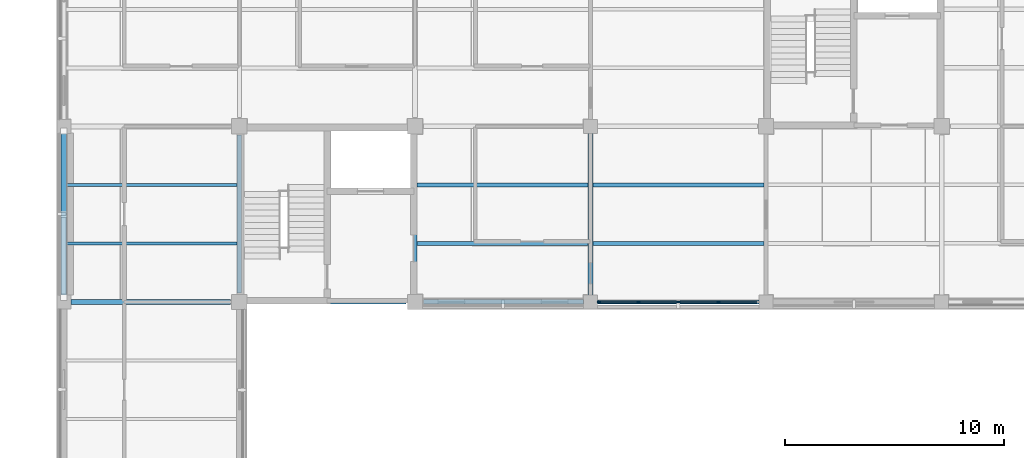
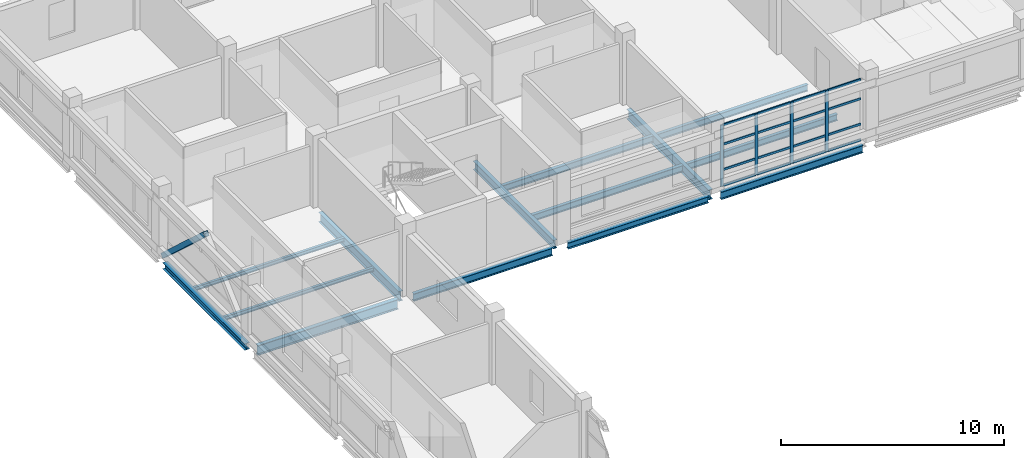
# One storey, part 28 of 107: 21 members, 14 beams, 1 element without a shape of its own.
"""IFC4 building model written with IfcOpenShell, lengths in metres."""

from ifc_helpers import new_model, si_unit, derived_unit, direction, frame, origin, origin_2d, place, context, subcontext, project, spatial, rectangle, hollow_rectangle, i_section, extrude, material, layer, layer_set, material_profile, profile_set, type_object, element, aggregate, save


model = new_model("IFC4")

# Units and contexts
model_context = context("Model", 3, precision=1e-05, world=origin(), true_north=direction((0.0, 1.0)))
body_context = subcontext(model_context, "Body", "Model", "MODEL_VIEW")
ifc_project = project(units=[si_unit("LENGTHUNIT", "METRE"), si_unit("AREAUNIT", "SQUARE_METRE"), si_unit("VOLUMEUNIT", "CUBIC_METRE"), si_unit("PLANEANGLEUNIT", "RADIAN"), si_unit("MASSUNIT", "GRAM", prefix="KILO"), derived_unit("THERMALTRANSMITTANCEUNIT", [(si_unit("MASSUNIT", "GRAM", prefix="KILO"), 1), (si_unit("TIMEUNIT", "SECOND"), -3), (si_unit("THERMODYNAMICTEMPERATUREUNIT", "KELVIN"), -1)])], contexts=[model_context])

# Site, building, storey
site_placement = place(None, origin())
site = spatial("IfcSite", under=ifc_project, at=site_placement, CompositionType="ELEMENT")
building_placement = place(site_placement, origin())
building = spatial("IfcBuilding", under=site, at=building_placement, Name="Veyamyaing Civic Hall", CompositionType="ELEMENT")
storey_placement = place(building_placement, frame((0.0, 0.0, 13.860107421875)))
storey = spatial("IfcBuildingStorey", under=building, at=storey_placement, Name="L03", CompositionType="ELEMENT", Elevation=13.860107421875)

# Beams
ifc_material_1 = material(Name="Steel ASTM A992", Category="steel")
ifc_material_profile_1 = material_profile(ifc_material_1, i_section(OverallWidth=0.208984375, OverallDepth=0.532958984375, WebThickness=0.01025390625, FlangeThickness=0.015625, FilletRadius=0.011962890625, at=origin_2d()), Name="W530X92")
ifc_profile_set_1 = profile_set([ifc_material_profile_1], Name="Steel ASTM A992")
beam_type_1 = type_object("IfcBeamType", Name="B-07", PredefinedType="BEAM", material=ifc_profile_set_1)
beam_1_placement = place(storey_placement, frame((8.0, 88.39990234375, -0.521728515625), z_axis=(0.0, 1.0, 0.0), x_axis=(-1.0, 0.0, 0.0)))
element("IfcBeam", 1, at=beam_1_placement, inside=storey, type_object=beam_type_1, Name="Girder B-07 L03 Grid 2 M-N", PredefinedType="BEAM", context=body_context, shape_type="SweptSolid", body=[
    extrude(i_section(OverallWidth=0.208984375, OverallDepth=0.532958984375, WebThickness=0.01025390625, FlangeThickness=0.015625, FilletRadius=0.011962890625, at=origin_2d()), origin(), (0.0, 0.0, 1.0), 7.2001953125),
])
ifc_material_profile_2 = material_profile(ifc_material_1, i_section(OverallWidth=0.19189453125, OverallDepth=0.462890625, WebThickness=0.010498046875, FlangeThickness=0.017578125, FilletRadius=0.010009765625, at=origin_2d()), Name="W460X89")
ifc_profile_set_2 = profile_set([ifc_material_profile_2], Name="Steel ASTM A992")
beam_type_2 = type_object("IfcBeamType", Name="B-08", PredefinedType="BEAM", material=ifc_profile_set_2)
beam_2_placement = place(storey_placement, frame((16.0, 88.39990234375, -0.486572265625), z_axis=(0.0, 1.0, 0.0), x_axis=(-1.0, 0.0, 0.0)))
element("IfcBeam", 2, at=beam_2_placement, inside=storey, type_object=beam_type_2, Name="Girder B-08 L03 Grid 3 M-N", PredefinedType="BEAM", context=body_context, shape_type="SweptSolid", body=[
    extrude(i_section(OverallWidth=0.19189453125, OverallDepth=0.462890625, WebThickness=0.010498046875, FlangeThickness=0.017578125, FilletRadius=0.010009765625, at=origin_2d()), origin(), (0.0, 0.0, 1.0), 7.2001953125),
])
ifc_material_profile_3 = material_profile(ifc_material_1, i_section(OverallWidth=0.179931640625, OverallDepth=0.4130859375, WebThickness=0.009765625, FlangeThickness=0.01611328125, FilletRadius=0.010009765625, at=origin_2d()), Name="W410X74")
ifc_profile_set_3 = profile_set([ifc_material_profile_3], Name="Steel ASTM A992")
beam_type_3 = type_object("IfcBeamType", Name="B-10", PredefinedType="SPANDREL", material=ifc_profile_set_3)
beam_3_placement = place(storey_placement, frame((8.39990234375, 88.0, -0.461669921875), z_axis=(1.0, 0.0, 0.0), x_axis=(0.0, 1.0, 0.0)))
element("IfcBeam", 3, at=beam_3_placement, inside=storey, type_object=beam_type_3, Name="Girder B-10 L03 Grid M 2-3", PredefinedType="SPANDREL", context=body_context, shape_type="SweptSolid", body=[
    extrude(i_section(OverallWidth=0.179931640625, OverallDepth=0.4130859375, WebThickness=0.009765625, FlangeThickness=0.01611328125, FilletRadius=0.010009765625, at=origin_2d()), origin(), (0.0, 0.0, 1.0), 7.2001953125),
])
ifc_material_profile_4 = material_profile(ifc_material_1, i_section(OverallWidth=0.2041015625, OverallDepth=0.35009765625, WebThickness=0.0078125, FlangeThickness=0.01513671875, FilletRadius=0.010009765625, at=origin_2d()), Name="W360X72")
ifc_profile_set_4 = profile_set([ifc_material_profile_4], Name="Steel ASTM A992")
beam_type_4 = type_object("IfcBeamType", Name="B-11", PredefinedType="SPANDREL", material=ifc_profile_set_4)
beam_4_placement = place(storey_placement, frame((16.39990234375, 88.0, -0.43017578125), z_axis=(1.0, 0.0, 0.0), x_axis=(0.0, 1.0, 0.0)))
element("IfcBeam", 4, at=beam_4_placement, inside=storey, type_object=beam_type_4, Name="Girder B-11 L03 Grid M 3-4", PredefinedType="SPANDREL", context=body_context, shape_type="SweptSolid", body=[
    extrude(i_section(OverallWidth=0.2041015625, OverallDepth=0.35009765625, WebThickness=0.0078125, FlangeThickness=0.01513671875, FilletRadius=0.010009765625, at=origin_2d()), origin(), (0.0, 0.0, 1.0), 7.275146484375),
])
ifc_material_profile_5 = material_profile(ifc_material_1, i_section(OverallWidth=0.2109375, OverallDepth=0.5390625, WebThickness=0.01171875, FlangeThickness=0.018798828125, FilletRadius=0.011962890625, at=origin_2d()), Name="W530X109")
ifc_profile_set_5 = profile_set([ifc_material_profile_5], Name="Steel ASTM A992")
beam_type_5 = type_object("IfcBeamType", Name="B-17", PredefinedType="BEAM", material=ifc_profile_set_5)
beam_5_placement = place(storey_placement, frame((0.324951171875, 88.0, -0.524658203125), z_axis=(1.0, 0.0, 0.0), x_axis=(0.0, 1.0, 0.0)))
element("IfcBeam", 5, at=beam_5_placement, inside=storey, type_object=beam_type_5, Name="Girder B-17 L03 Grid M 1-2", PredefinedType="BEAM", context=body_context, shape_type="SweptSolid", body=[
    extrude(i_section(OverallWidth=0.2109375, OverallDepth=0.5390625, WebThickness=0.01171875, FlangeThickness=0.018798828125, FilletRadius=0.011962890625, at=origin_2d()), origin(), (0.0, 0.0, 1.0), 7.275146484375),
])
beam_6_placement = place(storey_placement, frame((24.0, 88.324951171875, -0.524658203125), z_axis=(0.0, 1.0, 0.0), x_axis=(-1.0, 0.0, 0.0)))
element("IfcBeam", 6, at=beam_6_placement, inside=storey, type_object=beam_type_5, Name="Girder B-17 L03 Grid 4 M-N", PredefinedType="BEAM", context=body_context, shape_type="SweptSolid", body=[
    extrude(i_section(OverallWidth=0.2109375, OverallDepth=0.5390625, WebThickness=0.01171875, FlangeThickness=0.018798828125, FilletRadius=0.011962890625, at=origin_2d()), origin(), (0.0, 0.0, 1.0), 7.35009765625),
])
ifc_material_profile_6 = material_profile(ifc_material_1, i_section(OverallWidth=0.180908203125, OverallDepth=0.4169921875, WebThickness=0.010986328125, FlangeThickness=0.018310546875, FilletRadius=0.010009765625, at=origin_2d()), Name="W410X85")
ifc_profile_set_6 = profile_set([ifc_material_profile_6], Name="Steel ASTM A992")
beam_type_6 = type_object("IfcBeamType", Name="B-19", PredefinedType="SPANDREL", material=ifc_profile_set_6)
beam_7_placement = place(storey_placement, frame((24.324951171875, 88.0, -0.463623046875), z_axis=(1.0, 0.0, 0.0), x_axis=(0.0, 1.0, 0.0)))
element("IfcBeam", 7, at=beam_7_placement, inside=storey, type_object=beam_type_6, Name="Girder B-19 L03 Grid M 4-5", PredefinedType="SPANDREL", context=body_context, shape_type="SweptSolid", body=[
    extrude(i_section(OverallWidth=0.180908203125, OverallDepth=0.4169921875, WebThickness=0.010986328125, FlangeThickness=0.018310546875, FilletRadius=0.010009765625, at=origin_2d()), origin(), (0.0, 0.0, 1.0), 7.35009765625),
])
ifc_material_profile_7 = material_profile(ifc_material_1, i_section(OverallWidth=0.25390625, OverallDepth=0.35302734375, WebThickness=0.009521484375, FlangeThickness=0.016357421875, FilletRadius=0.011962890625, at=origin_2d()), Name="W360X91")
ifc_profile_set_7 = profile_set([ifc_material_profile_7], Name="Steel ASTM A992")
beam_type_7 = type_object("IfcBeamType", Name="B-20", PredefinedType="SPANDREL", material=ifc_profile_set_7)
beam_8_placement = place(storey_placement, frame((0.0, 88.324951171875, -0.431640625), z_axis=(0.0, 1.0, 0.0), x_axis=(-1.0, 0.0, 0.0)))
element("IfcBeam", 8, at=beam_8_placement, inside=storey, type_object=beam_type_7, Name="Girder B-20 L03 Grid 1 M-N", PredefinedType="SPANDREL", context=body_context, shape_type="SweptSolid", body=[
    extrude(i_section(OverallWidth=0.25390625, OverallDepth=0.35302734375, WebThickness=0.009521484375, FlangeThickness=0.016357421875, FilletRadius=0.011962890625, at=origin_2d()), origin(), (0.0, 0.0, 1.0), 7.35009765625),
])

# Member
ifc_material_2 = material(Name="Steel S355J2", Category="steel")
ifc_material_profile_8 = material_profile(ifc_material_2, hollow_rectangle(XDim=0.25390625, YDim=0.25390625, WallThickness=0.0126953125, at=origin_2d()), Name="HSS254X254X12.7")
ifc_profile_set_8 = profile_set([ifc_material_profile_8], Name="Steel S355J2")
member_type_1 = type_object("IfcMemberType", Name="BR-01", PredefinedType="BRACE", material=ifc_profile_set_8)
member_1_placement = place(storey_placement, frame((0.0, 95.780029296875, 0.0498046875), z_axis=(0.0, -0.73762264058, 0.675213181227), x_axis=(1.0, 0.0, 0.0)))
element("IfcMember", 9, at=member_1_placement, inside=storey, type_object=member_type_1, Name="Seismic chevron brace BR-01 BF-NW L03.R", PredefinedType="BRACE", context=body_context, shape_type="SweptSolid", body=[
    extrude(hollow_rectangle(XDim=0.25390625, YDim=0.25390625, WallThickness=0.0126953125, at=origin_2d()), origin(), (0.0, 0.0, 1.0), 5.12451171875),
])

# Curtain wall, members
ifc_material_3 = material(Name="Anodised aluminium 6063-T6", Category="aluminium")
ifc_layer = layer(ifc_material_3, 0.159912109375, Name="Anodised aluminium 6063-T6")
ifc_layer_set = layer_set([ifc_layer], Name="Anodised aluminium 6063-T6")
curtain_wall_type = type_object("IfcCurtainWallType", Name="CW-07", PredefinedType="NOTDEFINED", material=ifc_layer_set)
curtain_wall_placement = place(storey_placement, origin())
curtain_wall = element("IfcCurtainWall", 10, at=curtain_wall_placement, inside=storey, type_object=curtain_wall_type, Name="Unitized curtain wall CW-07 L03 S 4.12", PredefinedType="NOTDEFINED")
ifc_material_profile_9 = material_profile(ifc_material_3, rectangle(XDim=0.06494140625, YDim=0.159912109375, at=origin_2d()), Name="ALU-MUL-65X160")
ifc_profile_set_9 = profile_set([ifc_material_profile_9], Name="Anodised aluminium 6063-T6")
member_type_2 = type_object("IfcMemberType", Name="CWM-01", PredefinedType="MULLION", material=ifc_profile_set_9)
member_2_placement = place(storey_placement, frame((24.387451171875, 88.0, 0.0), z_axis=(0.0, 0.0, 1.0), x_axis=(0.0, 1.0, 0.0)))
member_2 = element("IfcMember", 11, at=member_2_placement, type_object=member_type_2, Name="CW-07 mullion 1", PredefinedType="MULLION", context=body_context, shape_type="SweptSolid", body=[
    extrude(rectangle(XDim=0.06494140625, YDim=0.159912109375, at=origin_2d()), origin(), (0.0, 0.0, 1.0), 3.364013671875),
])
member_3_placement = place(storey_placement, frame((26.177490234375, 88.0, 0.0), z_axis=(0.0, 0.0, 1.0), x_axis=(0.0, 1.0, 0.0)))
member_3 = element("IfcMember", 12, at=member_3_placement, type_object=member_type_2, Name="CW-07 mullion 2", PredefinedType="MULLION", context=body_context, shape_type="SweptSolid", body=[
    extrude(rectangle(XDim=0.06494140625, YDim=0.159912109375, at=origin_2d()), origin(), (0.0, 0.0, 1.0), 3.364013671875),
])
member_4_placement = place(storey_placement, frame((28.0, 88.0, 0.0), z_axis=(0.0, 0.0, 1.0), x_axis=(0.0, 1.0, 0.0)))
member_4 = element("IfcMember", 13, at=member_4_placement, type_object=member_type_2, Name="CW-07 mullion 3", PredefinedType="MULLION", context=body_context, shape_type="SweptSolid", body=[
    extrude(rectangle(XDim=0.06494140625, YDim=0.159912109375, at=origin_2d()), origin(), (0.0, 0.0, 1.0), 3.364013671875),
])
member_5_placement = place(storey_placement, frame((29.822509765625, 88.0, 0.0), z_axis=(0.0, 0.0, 1.0), x_axis=(0.0, 1.0, 0.0)))
member_5 = element("IfcMember", 14, at=member_5_placement, type_object=member_type_2, Name="CW-07 mullion 4", PredefinedType="MULLION", context=body_context, shape_type="SweptSolid", body=[
    extrude(rectangle(XDim=0.06494140625, YDim=0.159912109375, at=origin_2d()), origin(), (0.0, 0.0, 1.0), 3.364013671875),
])
ifc_material_profile_10 = material_profile(ifc_material_3, rectangle(XDim=0.06494140625, YDim=0.1201171875, at=origin_2d()), Name="ALU-TRN-65X120")
ifc_profile_set_10 = profile_set([ifc_material_profile_10], Name="Anodised aluminium 6063-T6")
member_type_3 = type_object("IfcMemberType", Name="CWT-01", PredefinedType="USERDEFINED", material=ifc_profile_set_10)
member_6_placement = place(storey_placement, frame((24.419921875, 88.0, 0.032470703125), z_axis=(1.0, 0.0, 0.0), x_axis=(0.0, 1.0, 0.0)))
member_6 = element("IfcMember", 15, at=member_6_placement, type_object=member_type_3, Name="CW-07 transom 1.1", ObjectType="TRANSOM", PredefinedType="USERDEFINED", context=body_context, shape_type="SweptSolid", body=[
    extrude(rectangle(XDim=0.06494140625, YDim=0.1201171875, at=origin_2d()), origin(), (0.0, 0.0, 1.0), 1.72509765625),
])
member_7_placement = place(storey_placement, frame((24.419921875, 88.0, 0.89990234375), z_axis=(1.0, 0.0, 0.0), x_axis=(0.0, 1.0, 0.0)))
member_7 = element("IfcMember", 16, at=member_7_placement, type_object=member_type_3, Name="CW-07 transom 1.2", ObjectType="TRANSOM", PredefinedType="USERDEFINED", context=body_context, shape_type="SweptSolid", body=[
    extrude(rectangle(XDim=0.06494140625, YDim=0.1201171875, at=origin_2d()), origin(), (0.0, 0.0, 1.0), 1.72509765625),
])
member_8_placement = place(storey_placement, frame((24.419921875, 88.0, 2.287353515625), z_axis=(1.0, 0.0, 0.0), x_axis=(0.0, 1.0, 0.0)))
member_8 = element("IfcMember", 17, at=member_8_placement, type_object=member_type_3, Name="CW-07 transom 1.3", ObjectType="TRANSOM", PredefinedType="USERDEFINED", context=body_context, shape_type="SweptSolid", body=[
    extrude(rectangle(XDim=0.06494140625, YDim=0.1201171875, at=origin_2d()), origin(), (0.0, 0.0, 1.0), 1.72509765625),
])
member_9_placement = place(storey_placement, frame((24.419921875, 88.0, 3.331298828125), z_axis=(1.0, 0.0, 0.0), x_axis=(0.0, 1.0, 0.0)))
member_9 = element("IfcMember", 18, at=member_9_placement, type_object=member_type_3, Name="CW-07 transom 1.4", ObjectType="TRANSOM", PredefinedType="USERDEFINED", context=body_context, shape_type="SweptSolid", body=[
    extrude(rectangle(XDim=0.06494140625, YDim=0.1201171875, at=origin_2d()), origin(), (0.0, 0.0, 1.0), 1.72509765625),
])
member_10_placement = place(storey_placement, frame((26.2099609375, 88.0, 0.032470703125), z_axis=(1.0, 0.0, 0.0), x_axis=(0.0, 1.0, 0.0)))
member_10 = element("IfcMember", 19, at=member_10_placement, type_object=member_type_3, Name="CW-07 transom 2.1", ObjectType="TRANSOM", PredefinedType="USERDEFINED", context=body_context, shape_type="SweptSolid", body=[
    extrude(rectangle(XDim=0.06494140625, YDim=0.1201171875, at=origin_2d()), origin(), (0.0, 0.0, 1.0), 1.757568359375),
])
member_11_placement = place(storey_placement, frame((26.2099609375, 88.0, 0.89990234375), z_axis=(1.0, 0.0, 0.0), x_axis=(0.0, 1.0, 0.0)))
member_11 = element("IfcMember", 20, at=member_11_placement, type_object=member_type_3, Name="CW-07 transom 2.2", ObjectType="TRANSOM", PredefinedType="USERDEFINED", context=body_context, shape_type="SweptSolid", body=[
    extrude(rectangle(XDim=0.06494140625, YDim=0.1201171875, at=origin_2d()), origin(), (0.0, 0.0, 1.0), 1.757568359375),
])
member_12_placement = place(storey_placement, frame((26.2099609375, 88.0, 2.287353515625), z_axis=(1.0, 0.0, 0.0), x_axis=(0.0, 1.0, 0.0)))
member_12 = element("IfcMember", 21, at=member_12_placement, type_object=member_type_3, Name="CW-07 transom 2.3", ObjectType="TRANSOM", PredefinedType="USERDEFINED", context=body_context, shape_type="SweptSolid", body=[
    extrude(rectangle(XDim=0.06494140625, YDim=0.1201171875, at=origin_2d()), origin(), (0.0, 0.0, 1.0), 1.757568359375),
])
member_13_placement = place(storey_placement, frame((26.2099609375, 88.0, 3.331298828125), z_axis=(1.0, 0.0, 0.0), x_axis=(0.0, 1.0, 0.0)))
member_13 = element("IfcMember", 22, at=member_13_placement, type_object=member_type_3, Name="CW-07 transom 2.4", ObjectType="TRANSOM", PredefinedType="USERDEFINED", context=body_context, shape_type="SweptSolid", body=[
    extrude(rectangle(XDim=0.06494140625, YDim=0.1201171875, at=origin_2d()), origin(), (0.0, 0.0, 1.0), 1.757568359375),
])
member_14_placement = place(storey_placement, frame((28.032470703125, 88.0, 0.032470703125), z_axis=(1.0, 0.0, 0.0), x_axis=(0.0, 1.0, 0.0)))
member_14 = element("IfcMember", 23, at=member_14_placement, type_object=member_type_3, Name="CW-07 transom 3.1", ObjectType="TRANSOM", PredefinedType="USERDEFINED", context=body_context, shape_type="SweptSolid", body=[
    extrude(rectangle(XDim=0.06494140625, YDim=0.1201171875, at=origin_2d()), origin(), (0.0, 0.0, 1.0), 1.757568359375),
])
member_15_placement = place(storey_placement, frame((28.032470703125, 88.0, 0.89990234375), z_axis=(1.0, 0.0, 0.0), x_axis=(0.0, 1.0, 0.0)))
member_15 = element("IfcMember", 24, at=member_15_placement, type_object=member_type_3, Name="CW-07 transom 3.2", ObjectType="TRANSOM", PredefinedType="USERDEFINED", context=body_context, shape_type="SweptSolid", body=[
    extrude(rectangle(XDim=0.06494140625, YDim=0.1201171875, at=origin_2d()), origin(), (0.0, 0.0, 1.0), 1.757568359375),
])
member_16_placement = place(storey_placement, frame((28.032470703125, 88.0, 2.287353515625), z_axis=(1.0, 0.0, 0.0), x_axis=(0.0, 1.0, 0.0)))
member_16 = element("IfcMember", 25, at=member_16_placement, type_object=member_type_3, Name="CW-07 transom 3.3", ObjectType="TRANSOM", PredefinedType="USERDEFINED", context=body_context, shape_type="SweptSolid", body=[
    extrude(rectangle(XDim=0.06494140625, YDim=0.1201171875, at=origin_2d()), origin(), (0.0, 0.0, 1.0), 1.757568359375),
])
member_17_placement = place(storey_placement, frame((28.032470703125, 88.0, 3.331298828125), z_axis=(1.0, 0.0, 0.0), x_axis=(0.0, 1.0, 0.0)))
member_17 = element("IfcMember", 26, at=member_17_placement, type_object=member_type_3, Name="CW-07 transom 3.4", ObjectType="TRANSOM", PredefinedType="USERDEFINED", context=body_context, shape_type="SweptSolid", body=[
    extrude(rectangle(XDim=0.06494140625, YDim=0.1201171875, at=origin_2d()), origin(), (0.0, 0.0, 1.0), 1.757568359375),
])
member_18_placement = place(storey_placement, frame((29.85498046875, 88.0, 0.032470703125), z_axis=(1.0, 0.0, 0.0), x_axis=(0.0, 1.0, 0.0)))
member_18 = element("IfcMember", 27, at=member_18_placement, type_object=member_type_3, Name="CW-07 transom 4.1", ObjectType="TRANSOM", PredefinedType="USERDEFINED", context=body_context, shape_type="SweptSolid", body=[
    extrude(rectangle(XDim=0.06494140625, YDim=0.1201171875, at=origin_2d()), origin(), (0.0, 0.0, 1.0), 1.72509765625),
])
member_19_placement = place(storey_placement, frame((29.85498046875, 88.0, 0.89990234375), z_axis=(1.0, 0.0, 0.0), x_axis=(0.0, 1.0, 0.0)))
member_19 = element("IfcMember", 28, at=member_19_placement, type_object=member_type_3, Name="CW-07 transom 4.2", ObjectType="TRANSOM", PredefinedType="USERDEFINED", context=body_context, shape_type="SweptSolid", body=[
    extrude(rectangle(XDim=0.06494140625, YDim=0.1201171875, at=origin_2d()), origin(), (0.0, 0.0, 1.0), 1.72509765625),
])
member_20_placement = place(storey_placement, frame((29.85498046875, 88.0, 2.287353515625), z_axis=(1.0, 0.0, 0.0), x_axis=(0.0, 1.0, 0.0)))
member_20 = element("IfcMember", 29, at=member_20_placement, type_object=member_type_3, Name="CW-07 transom 4.3", ObjectType="TRANSOM", PredefinedType="USERDEFINED", context=body_context, shape_type="SweptSolid", body=[
    extrude(rectangle(XDim=0.06494140625, YDim=0.1201171875, at=origin_2d()), origin(), (0.0, 0.0, 1.0), 1.72509765625),
])
member_21_placement = place(storey_placement, frame((29.85498046875, 88.0, 3.331298828125), z_axis=(1.0, 0.0, 0.0), x_axis=(0.0, 1.0, 0.0)))
member_21 = element("IfcMember", 30, at=member_21_placement, type_object=member_type_3, Name="CW-07 transom 4.4", ObjectType="TRANSOM", PredefinedType="USERDEFINED", context=body_context, shape_type="SweptSolid", body=[
    extrude(rectangle(XDim=0.06494140625, YDim=0.1201171875, at=origin_2d()), origin(), (0.0, 0.0, 1.0), 1.72509765625),
])
aggregate(curtain_wall, [member_2, member_3, member_4, member_5, member_6, member_7, member_8, member_9, member_10, member_11, member_12, member_13, member_14, member_15, member_16, member_17, member_18, member_19, member_20, member_21])

# Beams
ifc_material_profile_11 = material_profile(ifc_material_1, i_section(OverallWidth=0.172119140625, OverallDepth=0.35791015625, WebThickness=0.0078125, FlangeThickness=0.01318359375, FilletRadius=0.010009765625, at=origin_2d()), Name="W360X57")
ifc_profile_set_11 = profile_set([ifc_material_profile_11], Name="Steel ASTM A992")
beam_type_8 = type_object("IfcBeamType", Name="J-02", PredefinedType="JOIST", material=ifc_profile_set_11)
for number, where, z_axis, x_axis, name in (
    (31, (16.093994140625, 90.666748046875, -0.43408203125), (1.0, 0.0, 0.0), (0.0, 1.0, 0.0), "Composite floor joist J-02 L03 3.12.1"),
    (32, (16.093994140625, 93.333251953125, -0.43408203125), (1.0, 0.0, 0.0), (0.0, 1.0, 0.0), "Composite floor joist J-02 L03 3.12.2"),
):
    element("IfcBeam", number, at=place(storey_placement, frame(where, z_axis=z_axis, x_axis=x_axis)), inside=storey, type_object=beam_type_8, Name=name, PredefinedType="JOIST", context=body_context, shape_type="SweptSolid", body=[
        extrude(i_section(OverallWidth=0.172119140625, OverallDepth=0.35791015625, WebThickness=0.0078125, FlangeThickness=0.01318359375, FilletRadius=0.010009765625, at=origin_2d()), origin(), (0.0, 0.0, 1.0), 7.802490234375),
    ])
ifc_material_profile_12 = material_profile(ifc_material_1, i_section(OverallWidth=0.1708984375, OverallDepth=0.35205078125, WebThickness=0.0068359375, FlangeThickness=0.009765625, FilletRadius=0.010009765625, at=origin_2d()), Name="W360X44")
ifc_profile_set_12 = profile_set([ifc_material_profile_12], Name="Steel ASTM A992")
beam_type_9 = type_object("IfcBeamType", Name="J-03", PredefinedType="JOIST", material=ifc_profile_set_12)
for number, where, z_axis, x_axis, name in (
    (33, (24.103515625, 90.666748046875, -0.43115234375), (1.0, 0.0, 0.0), (0.0, 1.0, 0.0), "Composite floor joist J-03 L03 4.12.1"),
    (34, (24.103515625, 93.333251953125, -0.43115234375), (1.0, 0.0, 0.0), (0.0, 1.0, 0.0), "Composite floor joist J-03 L03 4.12.2"),
):
    element("IfcBeam", number, at=place(storey_placement, frame(where, z_axis=z_axis, x_axis=x_axis)), inside=storey, type_object=beam_type_9, Name=name, PredefinedType="JOIST", context=body_context, shape_type="SweptSolid", body=[
        extrude(i_section(OverallWidth=0.1708984375, OverallDepth=0.35205078125, WebThickness=0.0068359375, FlangeThickness=0.009765625, FilletRadius=0.010009765625, at=origin_2d()), origin(), (0.0, 0.0, 1.0), 7.801513671875),
    ])
ifc_material_profile_13 = material_profile(ifc_material_1, i_section(OverallWidth=0.133056640625, OverallDepth=0.20703125, WebThickness=0.005859375, FlangeThickness=0.00830078125, FilletRadius=0.010009765625, at=origin_2d()), Name="W200X27")
ifc_profile_set_13 = profile_set([ifc_material_profile_13], Name="Steel ASTM A992")
beam_type_10 = type_object("IfcBeamType", Name="J-08", PredefinedType="JOIST", material=ifc_profile_set_13)
for number, where, z_axis, x_axis, name in (
    (35, (0.125, 90.666748046875, -0.358642578125), (1.0, 0.0, 0.0), (0.0, 1.0, 0.0), "Composite floor joist J-08 L03 1.12.1"),
    (36, (0.125, 93.333251953125, -0.358642578125), (1.0, 0.0, 0.0), (0.0, 1.0, 0.0), "Composite floor joist J-08 L03 1.12.2"),
):
    element("IfcBeam", number, at=place(storey_placement, frame(where, z_axis=z_axis, x_axis=x_axis)), inside=storey, type_object=beam_type_10, Name=name, PredefinedType="JOIST", context=body_context, shape_type="SweptSolid", body=[
        extrude(i_section(OverallWidth=0.133056640625, OverallDepth=0.20703125, WebThickness=0.005859375, FlangeThickness=0.00830078125, FilletRadius=0.010009765625, at=origin_2d()), origin(), (0.0, 0.0, 1.0), 7.7724609375),
    ])

save(model, "model.ifc")
